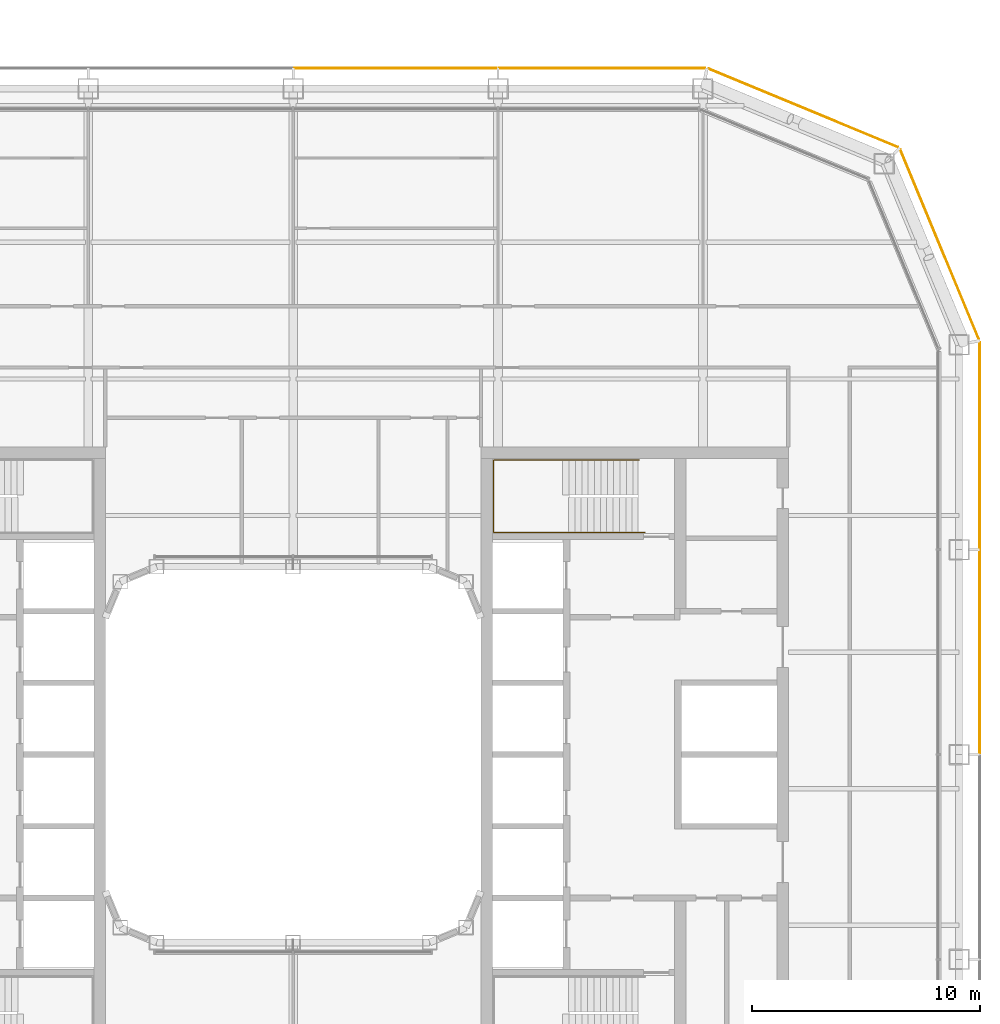
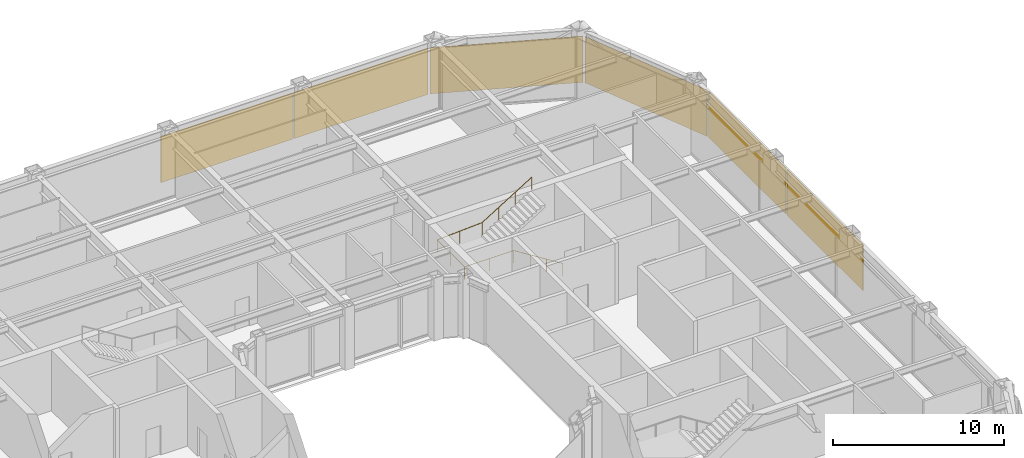
# One storey, part 22 of 23: 6 coverings, 1 railing.
"""IFC4 building model written with IfcOpenShell, lengths in metres."""

from ifc_helpers import new_model, si_unit, direction, frame, origin, origin_2d, place, context, subcontext, project, spatial, rectangle, circle, extrude, material, layer, layer_set, type_object, element, save


model = new_model("IFC4")

# Units and contexts
model_context = context("Model", 3, precision=1e-05, world=origin(), true_north=direction((0.0, 1.0)))
body_context = subcontext(model_context, "Body", "Model", "MODEL_VIEW")
ifc_project = project(units=[si_unit("LENGTHUNIT", "METRE"), si_unit("AREAUNIT", "SQUARE_METRE"), si_unit("VOLUMEUNIT", "CUBIC_METRE"), si_unit("PLANEANGLEUNIT", "RADIAN"), si_unit("MASSUNIT", "GRAM", prefix="KILO")], contexts=[model_context])

# Site, building, storey
site_placement = place(None, origin())
site = spatial("IfcSite", under=ifc_project, at=site_placement, CompositionType="ELEMENT")
building_placement = place(site_placement, origin())
building = spatial("IfcBuilding", under=site, at=building_placement, Name="Siwar Civic Tower", CompositionType="ELEMENT")
storey_placement = place(building_placement, frame((0.0, 0.0, 154.199951171875)))
storey = spatial("IfcBuildingStorey", under=building, at=storey_placement, Name="L33", CompositionType="ELEMENT", Elevation=154.199951171875)

# Railing
ifc_material_1 = material(Name="Stainless steel", Category="steel")
railing_type = type_object("IfcRailingType", Name="CORE-STAIR-HANDRAIL", PredefinedType="HANDRAIL", material=ifc_material_1)
railing_placement = place(storey_placement, frame((15.449951171875, 9.758056640625, 0.173095703125)))
element("IfcRailing", 1, at=railing_placement, inside=storey, type_object=railing_type, Name="Stair handrail ST3", PredefinedType="HANDRAIL", context=body_context, shape_type="SweptSolid", body=[
    extrude(circle(Radius=0.02001953125, at=origin_2d()), frame((0.0, 0.0, 0.8798828125), z_axis=(-0.847063342986, 0.0, 0.531491950051), x_axis=(0.0, -1.0, 0.0)), (0.0, 0.0, 1.0), 3.90771484375),
    extrude(circle(Radius=0.02001953125, at=origin_2d()), frame((-3.31005859375, 0.0, 2.956787109375), z_axis=(-1.0, 0.0, 0.0), x_axis=(0.0, -1.0, 0.0)), (0.0, 0.0, 1.0), 3.331787109375),
    extrude(circle(Radius=0.02001953125, at=origin_2d()), frame((-6.641845703125, 0.0, 2.956787109375), z_axis=(0.0, 1.0, 0.0), x_axis=(-1.0, 0.0, 0.0)), (0.0, 0.0, 1.0), 3.183837890625),
    extrude(circle(Radius=0.02001953125, at=origin_2d()), frame((-6.641845703125, 3.183837890625, 2.956787109375), z_axis=(0.99837434197, 0.0, 0.056997134106), x_axis=(0.0, 1.0, 0.0)), (0.0, 0.0, 1.0), 3.036865234375),
    extrude(circle(Radius=0.02001953125, at=origin_2d()), frame((-3.60986328125, 3.183837890625, 3.1298828125), z_axis=(0.850606129759, 0.0, 0.525803396734), x_axis=(0.0, 1.0, 0.0)), (0.0, 0.0, 1.0), 3.949951171875),
    extrude(circle(Radius=0.02001953125, at=origin_2d()), origin(), (0.0, 0.0, 1.0), 0.85986328125),
    extrude(circle(Radius=0.02001953125, at=origin_2d()), frame((-1.103271484375, 0.0, 0.6923828125)), (0.0, 0.0, 1.0), 0.85986328125),
    extrude(circle(Radius=0.02001953125, at=origin_2d()), frame((-2.206787109375, 0.0, 1.384521484375)), (0.0, 0.0, 1.0), 0.85986328125),
    extrude(circle(Radius=0.02001953125, at=origin_2d()), frame((-3.31005859375, 0.0, 2.076904296875)), (0.0, 0.0, 1.0), 0.85986328125),
    extrude(circle(Radius=0.02001953125, at=origin_2d()), frame((-4.97607421875, 0.0, 2.076904296875)), (0.0, 0.0, 1.0), 0.85986328125),
    extrude(circle(Radius=0.02001953125, at=origin_2d()), frame((-6.641845703125, 0.0, 2.076904296875)), (0.0, 0.0, 1.0), 0.85986328125),
    extrude(circle(Radius=0.02001953125, at=origin_2d()), frame((-6.641845703125, 1.591796875, 2.076904296875)), (0.0, 0.0, 1.0), 0.85986328125),
    extrude(circle(Radius=0.02001953125, at=origin_2d()), frame((-6.641845703125, 3.183837890625, 2.076904296875)), (0.0, 0.0, 1.0), 0.85986328125),
    extrude(circle(Radius=0.02001953125, at=origin_2d()), frame((-5.1259765625, 3.183837890625, 2.16357421875)), (0.0, 0.0, 1.0), 0.85986328125),
    extrude(circle(Radius=0.02001953125, at=origin_2d()), frame((-3.60986328125, 3.183837890625, 2.25)), (0.0, 0.0, 1.0), 0.85986328125),
    extrude(circle(Radius=0.02001953125, at=origin_2d()), frame((-2.489990234375, 3.183837890625, 2.9423828125)), (0.0, 0.0, 1.0), 0.85986328125),
    extrude(circle(Radius=0.02001953125, at=origin_2d()), frame((-1.369873046875, 3.183837890625, 3.634521484375)), (0.0, 0.0, 1.0), 0.85986328125),
    extrude(circle(Radius=0.02001953125, at=origin_2d()), frame((-0.25, 3.183837890625, 4.326904296875)), (0.0, 0.0, 1.0), 0.85986328125),
])

# Coverings
ifc_material_2 = material(Name="Perforated aluminium cassette, pale metal", Category="aluminium")
ifc_layer = layer(ifc_material_2, 0.0400390625)
ifc_layer_set = layer_set([ifc_layer], Name="Perforated aluminium cassette, pale metal")
covering_type = type_object("IfcCoveringType", Name="ENV-OUTER SKIN OS-1", PredefinedType="CLADDING", material=ifc_layer_set)
covering_1_placement = place(storey_placement, frame((30.14990234375, 4.5, -0.14990234375), z_axis=(0.0, 0.0, 1.0), x_axis=(0.0, 1.0, 0.0)))
element("IfcCovering", 2, at=covering_1_placement, inside=storey, type_object=covering_type, Name="OUTER SKIN OS-1 E 3", PredefinedType="CLADDING", context=body_context, shape_type="SweptSolid", body=[
    extrude(rectangle(XDim=8.89990234375, YDim=0.0400390625, at=origin_2d()), origin(), (0.0, 0.0, 1.0), 3.300048828125),
])
covering_2_placement = place(storey_placement, frame((30.14990234375, 13.57958984375, -0.14990234375), z_axis=(0.0, 0.0, 1.0), x_axis=(0.0, 1.0, 0.0)))
element("IfcCovering", 3, at=covering_2_placement, inside=storey, type_object=covering_type, Name="OUTER SKIN OS-1 E 4", PredefinedType="CLADDING", context=body_context, shape_type="SweptSolid", body=[
    extrude(rectangle(XDim=9.05908203125, YDim=0.0400390625, at=origin_2d()), origin(), (0.0, 0.0, 1.0), 3.300048828125),
])
for number, where, z_axis, x_axis, name in (
    (4, (28.39697265625, 22.411376953125, -0.14990234375), (0.0, 0.0, 1.0), (-0.382683432365, 0.923879532511, 0.0), "OUTER SKIN OS-1 NE1 1"),
    (5, (22.411376953125, 28.39697265625, -0.14990234375), (0.0, 0.0, 1.0), (-0.923879532511, 0.382683432365, 0.0), "OUTER SKIN OS-1 NE2 1"),
):
    element("IfcCovering", number, at=place(storey_placement, frame(where, z_axis=z_axis, x_axis=x_axis)), inside=storey, type_object=covering_type, Name=name, PredefinedType="CLADDING", context=body_context, shape_type="SweptSolid", body=[
        extrude(rectangle(XDim=9.022216796875, YDim=0.0400390625, at=origin_2d()), origin(), (0.0, 0.0, 1.0), 3.300048828125),
    ])
covering_3_placement = place(storey_placement, frame((13.57958984375, 30.14990234375, -0.14990234375), z_axis=(0.0, 0.0, 1.0), x_axis=(-1.0, 0.0, 0.0)))
element("IfcCovering", 6, at=covering_3_placement, inside=storey, type_object=covering_type, Name="OUTER SKIN OS-1 N 1", PredefinedType="CLADDING", context=body_context, shape_type="SweptSolid", body=[
    extrude(rectangle(XDim=9.05908203125, YDim=0.0400390625, at=origin_2d()), origin(), (0.0, 0.0, 1.0), 3.300048828125),
])
covering_4_placement = place(storey_placement, frame((4.5, 30.14990234375, -0.14990234375), z_axis=(0.0, 0.0, 1.0), x_axis=(-1.0, 0.0, 0.0)))
element("IfcCovering", 7, at=covering_4_placement, inside=storey, type_object=covering_type, Name="OUTER SKIN OS-1 N 2", PredefinedType="CLADDING", context=body_context, shape_type="SweptSolid", body=[
    extrude(rectangle(XDim=8.89990234375, YDim=0.0400390625, at=origin_2d()), origin(), (0.0, 0.0, 1.0), 3.300048828125),
])

save(model, "model.ifc")
